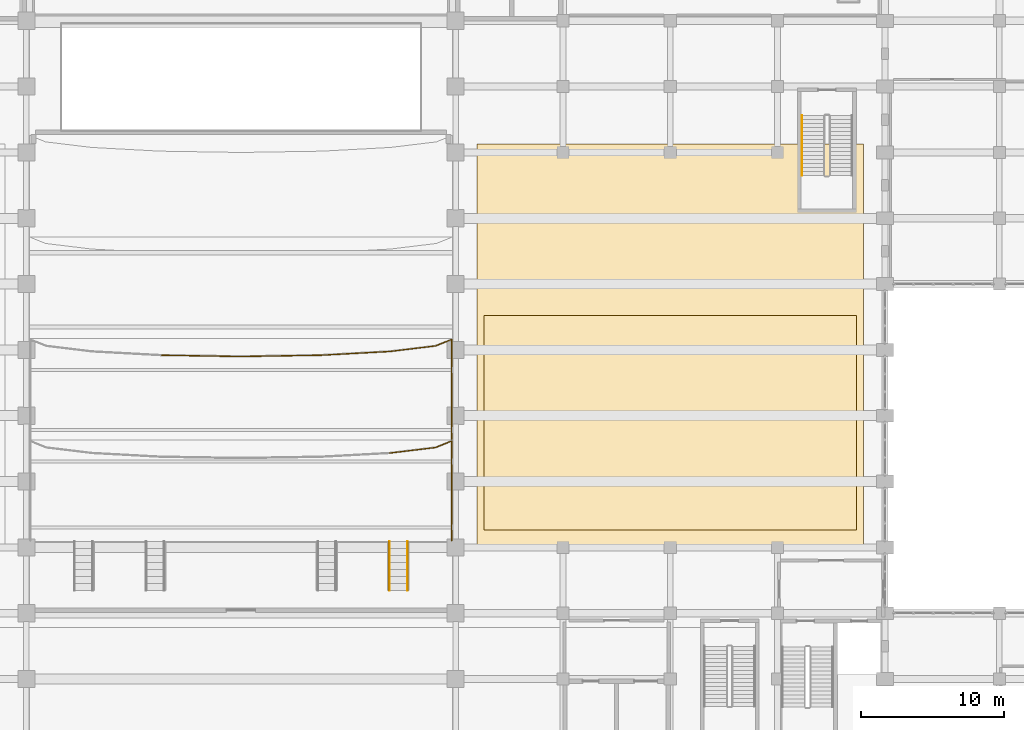
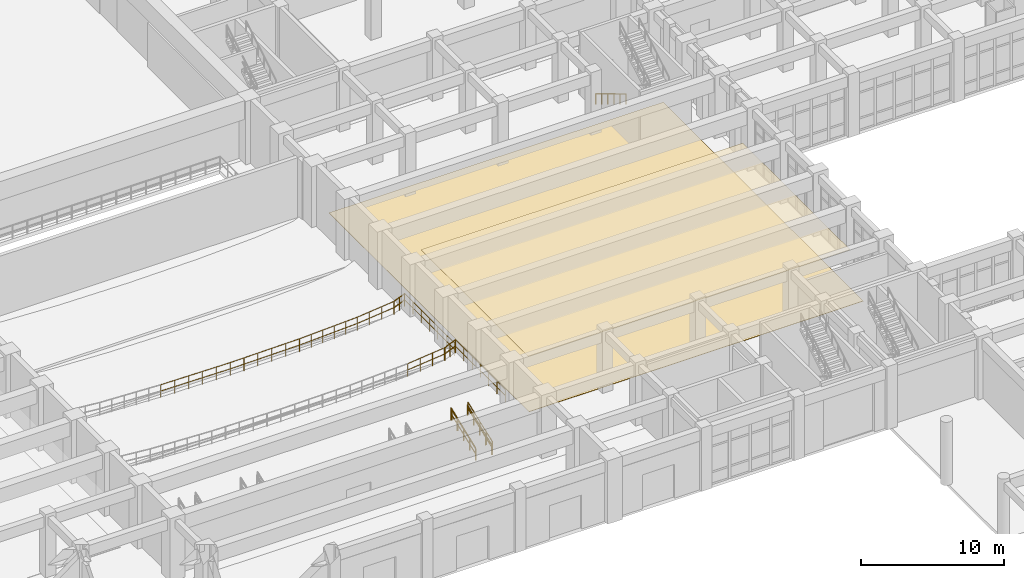
# One storey, part 79 of 84: 14 railings, 2 coverings.
"""IFC4 building model written with IfcOpenShell, lengths in metres."""

from ifc_helpers import new_model, si_unit, direction, frame, origin, origin_2d, place, context, subcontext, project, spatial, polyline, circle, outline, extrude, material, layer, layer_set, type_object, element, save


model = new_model("IFC4")

# Units and contexts
model_context = context("Model", 3, precision=1e-05, world=origin(), true_north=direction((0.0, 1.0)))
body_context = subcontext(model_context, "Body", "Model", "MODEL_VIEW")
ifc_project = project(units=[si_unit("LENGTHUNIT", "METRE"), si_unit("AREAUNIT", "SQUARE_METRE"), si_unit("VOLUMEUNIT", "CUBIC_METRE"), si_unit("PLANEANGLEUNIT", "RADIAN"), si_unit("MASSUNIT", "GRAM", prefix="KILO")], contexts=[model_context])

# Site, building, storey
site_placement = place(None, origin())
site = spatial("IfcSite", under=ifc_project, at=site_placement, CompositionType="ELEMENT")
building_placement = place(site_placement, origin())
building = spatial("IfcBuilding", under=site, at=building_placement, Name="Muzn Square Opera House", CompositionType="ELEMENT")
storey_placement = place(building_placement, origin())
storey = spatial("IfcBuildingStorey", under=building, at=storey_placement, Name="L00", CompositionType="ELEMENT", Elevation=0.0)

# Railings
ifc_material_1 = material(Name="Architectural bronze mashrabiya", Category="metal")
railing_type_1 = type_object("IfcRailingType", Name="Bronze Protective Balustrade 1120mm", PredefinedType="BALUSTRADE", material=ifc_material_1)
railing_1_placement = place(storey_placement, frame((102.72998046875, 43.360107421875, 0.949951171875)))
element("IfcRailing", 1, at=railing_1_placement, inside=storey, type_object=railing_type_1, Name="Auditorium Balcony Tier Front Balustrade L00-0075", PredefinedType="BALUSTRADE", context=body_context, shape_type="SweptSolid", body=[
    extrude(circle(Radius=0.02392578125, at=origin_2d()), frame((0.0, 0.0, 1.09619140625), z_axis=(0.0, 1.0, 0.0), x_axis=(-1.0, 0.0, 0.0)), (0.0, 0.0, 1.0), 6.97998046875),
    extrude(circle(Radius=0.02392578125, at=origin_2d()), frame((0.0, 0.0, 0.56005859375), z_axis=(0.0, 1.0, 0.0), x_axis=(-1.0, 0.0, 0.0)), (0.0, 0.0, 1.0), 6.97998046875),
    extrude(circle(Radius=0.02099609375, at=origin_2d()), origin(), (0.0, 0.0, 1.0), 1.072021484375),
    extrude(circle(Radius=0.02099609375, at=origin_2d()), frame((0.0, 1.163330078125, 0.0)), (0.0, 0.0, 1.0), 1.072021484375),
    extrude(circle(Radius=0.02099609375, at=origin_2d()), frame((0.0, 2.32666015625, 0.0)), (0.0, 0.0, 1.0), 1.072021484375),
    extrude(circle(Radius=0.02099609375, at=origin_2d()), frame((0.0, 3.489990234375, 0.0)), (0.0, 0.0, 1.0), 1.072021484375),
    extrude(circle(Radius=0.02099609375, at=origin_2d()), frame((0.0, 4.6533203125, 0.0)), (0.0, 0.0, 1.0), 1.072021484375),
    extrude(circle(Radius=0.02099609375, at=origin_2d()), frame((0.0, 5.816650390625, 0.0)), (0.0, 0.0, 1.0), 1.072021484375),
    extrude(circle(Radius=0.02099609375, at=origin_2d()), frame((0.0, 6.97998046875, 0.0)), (0.0, 0.0, 1.0), 1.072021484375),
])
railing_2_placement = place(storey_placement, frame((102.72998046875, 50.340087890625, 0.949951171875)))
element("IfcRailing", 2, at=railing_2_placement, inside=storey, type_object=railing_type_1, Name="Auditorium Balcony Tier Front Balustrade L00-0076", PredefinedType="BALUSTRADE", context=body_context, shape_type="SweptSolid", body=[
    extrude(circle(Radius=0.02392578125, at=origin_2d()), frame((0.0, 0.0, 1.09619140625), z_axis=(-0.925920751341, -0.377717834151, 0.0), x_axis=(0.377717834151, -0.925920751341, 0.0)), (0.0, 0.0, 1.0), 1.2158203125),
    extrude(circle(Radius=0.02392578125, at=origin_2d()), frame((0.0, 0.0, 0.56005859375), z_axis=(-0.925920751341, -0.377717834151, 0.0), x_axis=(0.377717834151, -0.925920751341, 0.0)), (0.0, 0.0, 1.0), 1.2158203125),
    extrude(circle(Radius=0.02099609375, at=origin_2d()), origin(), (0.0, 0.0, 1.0), 1.072021484375),
    extrude(circle(Radius=0.02099609375, at=origin_2d()), frame((-0.56298828125, -0.2294921875, 0.0)), (0.0, 0.0, 1.0), 1.072021484375),
    extrude(circle(Radius=0.02099609375, at=origin_2d()), frame((-1.125732421875, -0.459228515625, 0.0)), (0.0, 0.0, 1.0), 1.072021484375),
])
railing_3_placement = place(storey_placement, frame((101.604248046875, 49.880859375, 0.949951171875)))
element("IfcRailing", 3, at=railing_3_placement, inside=storey, type_object=railing_type_1, Name="Auditorium Balcony Tier Front Balustrade L00-0077", PredefinedType="BALUSTRADE", context=body_context, shape_type="SweptSolid", body=[
    extrude(circle(Radius=0.02392578125, at=origin_2d()), frame((0.0, 0.0, 1.09619140625), z_axis=(-0.992704472677, -0.120572923692, 0.0), x_axis=(0.120572923692, -0.992704472677, 0.0)), (0.0, 0.0, 1.0), 3.229736328125),
    extrude(circle(Radius=0.02392578125, at=origin_2d()), frame((0.0, 0.0, 0.56005859375), z_axis=(-0.992704472677, -0.120572923692, 0.0), x_axis=(0.120572923692, -0.992704472677, 0.0)), (0.0, 0.0, 1.0), 3.229736328125),
    extrude(circle(Radius=0.02099609375, at=origin_2d()), origin(), (0.0, 0.0, 1.0), 1.072021484375),
    extrude(circle(Radius=0.02099609375, at=origin_2d()), frame((-1.068603515625, -0.1298828125, 0.0)), (0.0, 0.0, 1.0), 1.072021484375),
    extrude(circle(Radius=0.02099609375, at=origin_2d()), frame((-2.137451171875, -0.259521484375, 0.0)), (0.0, 0.0, 1.0), 1.072021484375),
    extrude(circle(Radius=0.02099609375, at=origin_2d()), frame((-3.2060546875, -0.389404296875, 0.0)), (0.0, 0.0, 1.0), 1.072021484375),
])
railing_4_placement = place(storey_placement, frame((98.398193359375, 49.491455078125, 0.949951171875)))
element("IfcRailing", 4, at=railing_4_placement, inside=storey, type_object=railing_type_1, Name="Auditorium Balcony Tier Front Balustrade L00-0078", PredefinedType="BALUSTRADE", context=body_context, shape_type="SweptSolid", body=[
    extrude(circle(Radius=0.02392578125, at=origin_2d()), frame((0.0, 0.0, 1.09619140625), z_axis=(-0.998532339535, -0.054158719545, 0.0), x_axis=(0.054158719545, -0.998532339535, 0.0)), (0.0, 0.0, 1.0), 4.805419921875),
    extrude(circle(Radius=0.02392578125, at=origin_2d()), frame((0.0, 0.0, 0.56005859375), z_axis=(-0.998532339535, -0.054158719545, 0.0), x_axis=(0.054158719545, -0.998532339535, 0.0)), (0.0, 0.0, 1.0), 4.805419921875),
    extrude(circle(Radius=0.02099609375, at=origin_2d()), origin(), (0.0, 0.0, 1.0), 1.072021484375),
    extrude(circle(Radius=0.02099609375, at=origin_2d()), frame((-0.959716796875, -0.052001953125, 0.0)), (0.0, 0.0, 1.0), 1.072021484375),
    extrude(circle(Radius=0.02099609375, at=origin_2d()), frame((-1.91943359375, -0.10400390625, 0.0)), (0.0, 0.0, 1.0), 1.072021484375),
    extrude(circle(Radius=0.02099609375, at=origin_2d()), frame((-2.87890625, -0.15625, 0.0)), (0.0, 0.0, 1.0), 1.072021484375),
    extrude(circle(Radius=0.02099609375, at=origin_2d()), frame((-3.838623046875, -0.208251953125, 0.0)), (0.0, 0.0, 1.0), 1.072021484375),
    extrude(circle(Radius=0.02099609375, at=origin_2d()), frame((-4.79833984375, -0.26025390625, 0.0)), (0.0, 0.0, 1.0), 1.072021484375),
])
railing_5_placement = place(storey_placement, frame((93.599853515625, 49.231201171875, 0.949951171875)))
element("IfcRailing", 5, at=railing_5_placement, inside=storey, type_object=railing_type_1, Name="Auditorium Balcony Tier Front Balustrade L00-0079", PredefinedType="BALUSTRADE", context=body_context, shape_type="SweptSolid", body=[
    extrude(circle(Radius=0.02392578125, at=origin_2d()), frame((0.0, 0.0, 1.09619140625), z_axis=(-0.999869896441, -0.016130411995, 0.0), x_axis=(0.016130411995, -0.999869896441, 0.0)), (0.0, 0.0, 1.0), 5.66064453125),
    extrude(circle(Radius=0.02392578125, at=origin_2d()), frame((0.0, 0.0, 0.56005859375), z_axis=(-0.999869896441, -0.016130411995, 0.0), x_axis=(0.016130411995, -0.999869896441, 0.0)), (0.0, 0.0, 1.0), 5.66064453125),
    extrude(circle(Radius=0.02099609375, at=origin_2d()), origin(), (0.0, 0.0, 1.0), 1.072021484375),
    extrude(circle(Radius=0.02099609375, at=origin_2d()), frame((-1.132080078125, -0.018310546875, 0.0)), (0.0, 0.0, 1.0), 1.072021484375),
    extrude(circle(Radius=0.02099609375, at=origin_2d()), frame((-2.263916015625, -0.03662109375, 0.0)), (0.0, 0.0, 1.0), 1.072021484375),
    extrude(circle(Radius=0.02099609375, at=origin_2d()), frame((-3.39599609375, -0.0546875, 0.0)), (0.0, 0.0, 1.0), 1.072021484375),
    extrude(circle(Radius=0.02099609375, at=origin_2d()), frame((-4.52783203125, -0.072998046875, 0.0)), (0.0, 0.0, 1.0), 1.072021484375),
    extrude(circle(Radius=0.02099609375, at=origin_2d()), frame((-5.659912109375, -0.09130859375, 0.0)), (0.0, 0.0, 1.0), 1.072021484375),
])
railing_6_placement = place(storey_placement, frame((87.93994140625, 49.139892578125, 0.949951171875)))
element("IfcRailing", 6, at=railing_6_placement, inside=storey, type_object=railing_type_1, Name="Auditorium Balcony Tier Front Balustrade L00-0080", PredefinedType="BALUSTRADE", context=body_context, shape_type="SweptSolid", body=[
    extrude(circle(Radius=0.02392578125, at=origin_2d()), frame((0.0, 0.0, 1.09619140625), z_axis=(-0.999864194468, 0.016480067372, 0.0), x_axis=(-0.016480067372, -0.999864194468, 0.0)), (0.0, 0.0, 1.0), 5.54052734375),
    extrude(circle(Radius=0.02392578125, at=origin_2d()), frame((0.0, 0.0, 0.56005859375), z_axis=(-0.999864194468, 0.016480067372, 0.0), x_axis=(-0.016480067372, -0.999864194468, 0.0)), (0.0, 0.0, 1.0), 5.54052734375),
    extrude(circle(Radius=0.02099609375, at=origin_2d()), origin(), (0.0, 0.0, 1.0), 1.072021484375),
    extrude(circle(Radius=0.02099609375, at=origin_2d()), frame((-1.10791015625, 0.018310546875, 0.0)), (0.0, 0.0, 1.0), 1.072021484375),
    extrude(circle(Radius=0.02099609375, at=origin_2d()), frame((-2.2158203125, 0.03662109375, 0.0)), (0.0, 0.0, 1.0), 1.072021484375),
    extrude(circle(Radius=0.02099609375, at=origin_2d()), frame((-3.323974609375, 0.0546875, 0.0)), (0.0, 0.0, 1.0), 1.072021484375),
    extrude(circle(Radius=0.02099609375, at=origin_2d()), frame((-4.431884765625, 0.072998046875, 0.0)), (0.0, 0.0, 1.0), 1.072021484375),
    extrude(circle(Radius=0.02099609375, at=origin_2d()), frame((-5.539794921875, 0.09130859375, 0.0)), (0.0, 0.0, 1.0), 1.072021484375),
])
railing_7_placement = place(storey_placement, frame((102.72998046875, 36.260009765625, 1.300048828125)))
element("IfcRailing", 7, at=railing_7_placement, inside=storey, type_object=railing_type_1, Name="Auditorium Balcony Tier Front Balustrade L00-0085", PredefinedType="BALUSTRADE", context=body_context, shape_type="SweptSolid", body=[
    extrude(circle(Radius=0.02392578125, at=origin_2d()), frame((0.0, 0.0, 1.09619140625), z_axis=(0.0, 1.0, 0.0), x_axis=(-1.0, 0.0, 0.0)), (0.0, 0.0, 1.0), 6.97998046875),
    extrude(circle(Radius=0.02392578125, at=origin_2d()), frame((0.0, 0.0, 0.56005859375), z_axis=(0.0, 1.0, 0.0), x_axis=(-1.0, 0.0, 0.0)), (0.0, 0.0, 1.0), 6.97998046875),
    extrude(circle(Radius=0.02099609375, at=origin_2d()), origin(), (0.0, 0.0, 1.0), 1.072021484375),
    extrude(circle(Radius=0.02099609375, at=origin_2d()), frame((0.0, 1.163330078125, 0.0)), (0.0, 0.0, 1.0), 1.072021484375),
    extrude(circle(Radius=0.02099609375, at=origin_2d()), frame((0.0, 2.32666015625, 0.0)), (0.0, 0.0, 1.0), 1.072021484375),
    extrude(circle(Radius=0.02099609375, at=origin_2d()), frame((0.0, 3.489990234375, 0.0)), (0.0, 0.0, 1.0), 1.072021484375),
    extrude(circle(Radius=0.02099609375, at=origin_2d()), frame((0.0, 4.6533203125, 0.0)), (0.0, 0.0, 1.0), 1.072021484375),
    extrude(circle(Radius=0.02099609375, at=origin_2d()), frame((0.0, 5.816650390625, 0.0)), (0.0, 0.0, 1.0), 1.072021484375),
    extrude(circle(Radius=0.02099609375, at=origin_2d()), frame((0.0, 6.97998046875, 0.0)), (0.0, 0.0, 1.0), 1.072021484375),
])
railing_8_placement = place(storey_placement, frame((102.72998046875, 43.239990234375, 1.300048828125)))
element("IfcRailing", 8, at=railing_8_placement, inside=storey, type_object=railing_type_1, Name="Auditorium Balcony Tier Front Balustrade L00-0086", PredefinedType="BALUSTRADE", context=body_context, shape_type="SweptSolid", body=[
    extrude(circle(Radius=0.02392578125, at=origin_2d()), frame((0.0, 0.0, 1.09619140625), z_axis=(-0.925920751341, -0.377717834151, 0.0), x_axis=(0.377717834151, -0.925920751341, 0.0)), (0.0, 0.0, 1.0), 1.2158203125),
    extrude(circle(Radius=0.02392578125, at=origin_2d()), frame((0.0, 0.0, 0.56005859375), z_axis=(-0.925920751341, -0.377717834151, 0.0), x_axis=(0.377717834151, -0.925920751341, 0.0)), (0.0, 0.0, 1.0), 1.2158203125),
    extrude(circle(Radius=0.02099609375, at=origin_2d()), origin(), (0.0, 0.0, 1.0), 1.072021484375),
    extrude(circle(Radius=0.02099609375, at=origin_2d()), frame((-0.56298828125, -0.2294921875, 0.0)), (0.0, 0.0, 1.0), 1.072021484375),
    extrude(circle(Radius=0.02099609375, at=origin_2d()), frame((-1.125732421875, -0.459228515625, 0.0)), (0.0, 0.0, 1.0), 1.072021484375),
])
railing_9_placement = place(storey_placement, frame((101.604248046875, 42.78076171875, 1.300048828125)))
element("IfcRailing", 9, at=railing_9_placement, inside=storey, type_object=railing_type_1, Name="Auditorium Balcony Tier Front Balustrade L00-0087", PredefinedType="BALUSTRADE", context=body_context, shape_type="SweptSolid", body=[
    extrude(circle(Radius=0.02392578125, at=origin_2d()), frame((0.0, 0.0, 1.09619140625), z_axis=(-0.992713518095, -0.120498427341, 0.0), x_axis=(0.120498427341, -0.992713518095, 0.0)), (0.0, 0.0, 1.0), 3.2294921875),
    extrude(circle(Radius=0.02392578125, at=origin_2d()), frame((0.0, 0.0, 0.56005859375), z_axis=(-0.992713518095, -0.120498427341, 0.0), x_axis=(0.120498427341, -0.992713518095, 0.0)), (0.0, 0.0, 1.0), 3.2294921875),
    extrude(circle(Radius=0.02099609375, at=origin_2d()), origin(), (0.0, 0.0, 1.0), 1.072021484375),
    extrude(circle(Radius=0.02099609375, at=origin_2d()), frame((-1.068603515625, -0.129638671875, 0.0)), (0.0, 0.0, 1.0), 1.072021484375),
    extrude(circle(Radius=0.02099609375, at=origin_2d()), frame((-2.137451171875, -0.259521484375, 0.0)), (0.0, 0.0, 1.0), 1.072021484375),
    extrude(circle(Radius=0.02099609375, at=origin_2d()), frame((-3.2060546875, -0.38916015625, 0.0)), (0.0, 0.0, 1.0), 1.072021484375),
])

# Coverings
ifc_material_2 = material(Name="Acoustic walnut timber panelling", Category="wood")
ifc_layer_1 = layer(ifc_material_2, 0.0400390625, Name="Acoustic walnut timber panelling", Category="wood")
ifc_layer_set_1 = layer_set([ifc_layer_1], Name="Acoustic walnut timber panelling")
covering_type_1 = type_object("IfcCoveringType", Name="Carved Walnut Acoustic Ceiling Cloud", PredefinedType="CEILING", material=ifc_layer_set_1)
covering_1_placement = place(storey_placement, frame((0.0, 0.0, 3.949951171875)))
element("IfcCovering", 10, at=covering_1_placement, inside=storey, type_object=covering_type_1, Name="East Grand Foyer Acoustic Ceiling Cloud", PredefinedType="CEILING", context=body_context, shape_type="SweptSolid", body=[
    extrude(outline(polyline([(105.0, 37.0), (131.0, 37.0), (131.0, 52.0), (105.0, 52.0), (105.0, 37.0)])), origin(), (0.0, 0.0, 1.0), 0.0400390625),
])
ifc_material_3 = material(Name="Polished limestone terrazzo", Category="stone")
ifc_layer_2 = layer(ifc_material_3, 0.030029296875, Name="Polished limestone terrazzo", Category="stone")
ifc_layer_set_2 = layer_set([ifc_layer_2], Name="Polished limestone terrazzo")
covering_type_2 = type_object("IfcCoveringType", Name="Polished Terrazzo Promenade Flooring", PredefinedType="FLOORING", material=ifc_layer_set_2)
covering_2_placement = place(storey_placement, origin())
element("IfcCovering", 11, at=covering_2_placement, inside=storey, type_object=covering_type_2, Name="East Foyer Terrazzo Flooring", PredefinedType="FLOORING", context=body_context, shape_type="SweptSolid", body=[
    extrude(outline(polyline([(104.5, 36.0), (131.5, 36.0), (131.5, 64.0), (104.5, 64.0), (104.5, 36.0)])), origin(), (0.0, 0.0, 1.0), 0.030029296875),
])

# Railings
ifc_material_4 = material(Name="Brushed stainless steel", Category="metal")
railing_type_2 = type_object("IfcRailingType", Name="Stair Guard Railing 1120mm", PredefinedType="GUARDRAIL", material=ifc_material_4)
for number, where, name in (
    (12, (98.320068359375, 32.800048828125, 0.0), "Vomitory Stair Guard VS-04-L"),
    (13, (99.679931640625, 32.800048828125, 0.0), "Vomitory Stair Guard VS-04-R"),
):
    element("IfcRailing", number, at=place(storey_placement, frame(where)), inside=storey, type_object=railing_type_2, Name=name, PredefinedType="GUARDRAIL", context=body_context, shape_type="SweptSolid", body=[
        extrude(circle(Radius=0.02392578125, at=origin_2d()), frame((0.0, 0.0, 1.09619140625), z_axis=(0.0, 0.93404393785, 0.357158119277), x_axis=(-1.0, 0.0, 0.0)), (0.0, 0.0, 1.0), 3.639892578125),
        extrude(circle(Radius=0.02392578125, at=origin_2d()), frame((0.0, 0.0, 0.56005859375), z_axis=(0.0, 0.93404393785, 0.357158119277), x_axis=(-1.0, 0.0, 0.0)), (0.0, 0.0, 1.0), 3.639892578125),
        extrude(circle(Radius=0.02099609375, at=origin_2d()), origin(), (0.0, 0.0, 1.0), 1.072021484375),
        extrude(circle(Radius=0.02099609375, at=origin_2d()), frame((0.0, 0.85009765625, 0.324951171875)), (0.0, 0.0, 1.0), 1.072021484375),
        extrude(circle(Radius=0.02099609375, at=origin_2d()), frame((0.0, 1.699951171875, 0.64990234375)), (0.0, 0.0, 1.0), 1.072021484375),
        extrude(circle(Radius=0.02099609375, at=origin_2d()), frame((0.0, 2.5498046875, 0.97509765625)), (0.0, 0.0, 1.0), 1.072021484375),
        extrude(circle(Radius=0.02099609375, at=origin_2d()), frame((0.0, 3.39990234375, 1.300048828125)), (0.0, 0.0, 1.0), 1.072021484375),
    ])
railing_type_3 = type_object("IfcRailingType", Name="Stair Pitch Handrail 900mm", PredefinedType="HANDRAIL", material=ifc_material_4)
railing_10_placement = place(storey_placement, frame((127.199951171875, 65.989990234375, 0.168701171875)))
element("IfcRailing", 14, at=railing_10_placement, inside=storey, type_object=railing_type_3, Name="L00 ST-10 stair handrail 1", PredefinedType="HANDRAIL", context=body_context, shape_type="SweptSolid", body=[
    extrude(circle(Radius=0.02392578125, at=origin_2d()), frame((0.0, 0.0, 0.8759765625), z_axis=(0.0, -0.856476492594, 0.516186030065), x_axis=(1.0, 0.0, 0.0)), (0.0, 0.0, 1.0), 4.90380859375),
    extrude(circle(Radius=0.02099609375, at=origin_2d()), origin(), (0.0, 0.0, 1.0), 0.851806640625),
    extrude(circle(Radius=0.02099609375, at=origin_2d()), frame((0.0, -0.840087890625, 0.50634765625)), (0.0, 0.0, 1.0), 0.851806640625),
    extrude(circle(Radius=0.02099609375, at=origin_2d()), frame((0.0, -1.679931640625, 1.012451171875)), (0.0, 0.0, 1.0), 0.851806640625),
    extrude(circle(Radius=0.02099609375, at=origin_2d()), frame((0.0, -2.52001953125, 1.518798828125)), (0.0, 0.0, 1.0), 0.851806640625),
    extrude(circle(Radius=0.02099609375, at=origin_2d()), frame((0.0, -3.35986328125, 2.02490234375)), (0.0, 0.0, 1.0), 0.851806640625),
    extrude(circle(Radius=0.02099609375, at=origin_2d()), frame((0.0, -4.199951171875, 2.53125)), (0.0, 0.0, 1.0), 0.851806640625),
])
for number, where, name in (
    (15, (98.37451171875, 32.800048828125, 0.0), "Vomitory Stair Handrail VS-04-L"),
    (16, (99.62548828125, 32.800048828125, 0.0), "Vomitory Stair Handrail VS-04-R"),
):
    element("IfcRailing", number, at=place(storey_placement, frame(where)), inside=storey, type_object=railing_type_3, Name=name, PredefinedType="HANDRAIL", context=body_context, shape_type="SweptSolid", body=[
        extrude(circle(Radius=0.02392578125, at=origin_2d()), frame((0.0, 0.0, 0.8759765625), z_axis=(0.0, 0.93404393785, 0.357158119277), x_axis=(-1.0, 0.0, 0.0)), (0.0, 0.0, 1.0), 3.639892578125),
        extrude(circle(Radius=0.02099609375, at=origin_2d()), origin(), (0.0, 0.0, 1.0), 0.851806640625),
        extrude(circle(Radius=0.02099609375, at=origin_2d()), frame((0.0, 0.85009765625, 0.324951171875)), (0.0, 0.0, 1.0), 0.851806640625),
        extrude(circle(Radius=0.02099609375, at=origin_2d()), frame((0.0, 1.699951171875, 0.64990234375)), (0.0, 0.0, 1.0), 0.851806640625),
        extrude(circle(Radius=0.02099609375, at=origin_2d()), frame((0.0, 2.5498046875, 0.97509765625)), (0.0, 0.0, 1.0), 0.851806640625),
        extrude(circle(Radius=0.02099609375, at=origin_2d()), frame((0.0, 3.39990234375, 1.300048828125)), (0.0, 0.0, 1.0), 0.851806640625),
    ])

save(model, "model.ifc")
